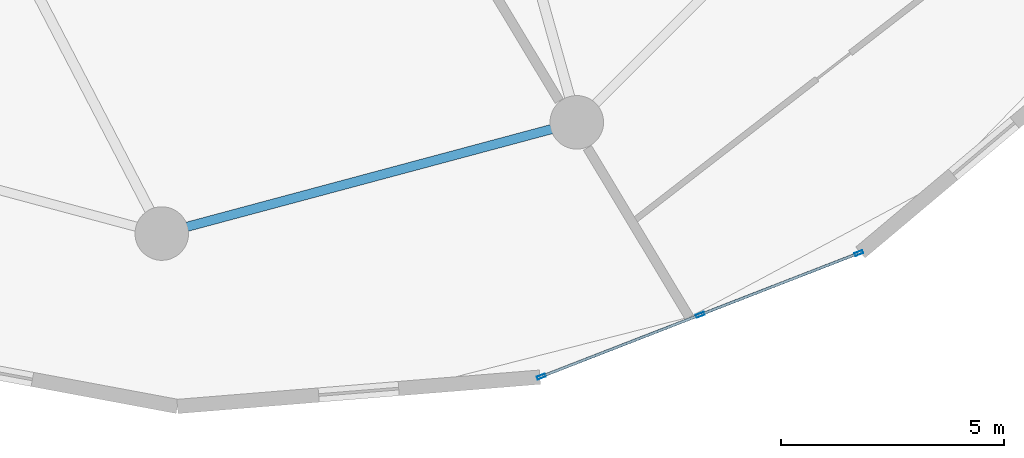
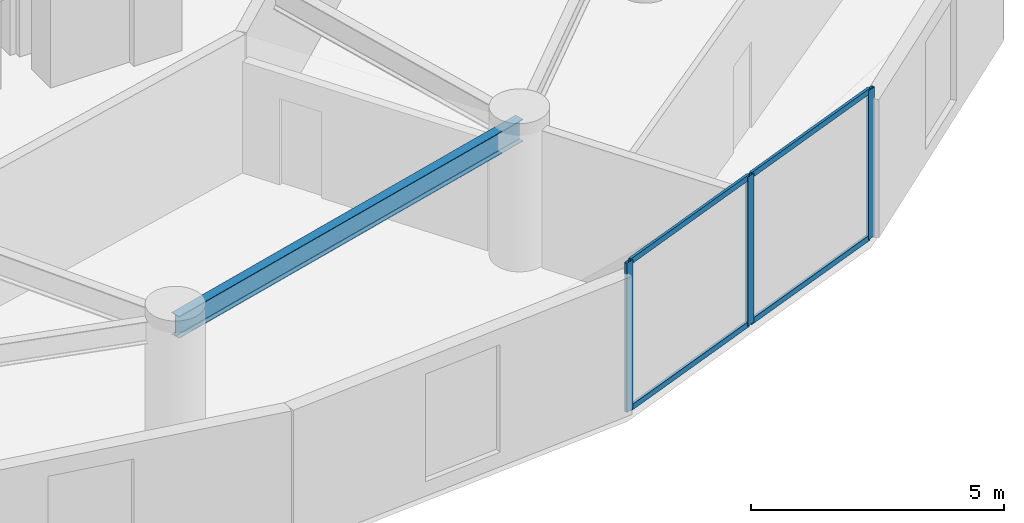
# One storey, part 10 of 26: 7 members, 1 beam, 1 element without a shape of its own.
"""IFC4 building model written with IfcOpenShell, lengths in metres."""

from ifc_helpers import new_model, si_unit, direction, frame, origin, origin_2d, place, context, subcontext, project, spatial, hollow_rectangle, i_section, extrude, source, transform, mapped, material, layer, layer_set, material_profile, profile_set, type_object, element, aggregate, save


model = new_model("IFC4")

# Units and contexts
model_context = context("Model", 3, precision=1e-05, world=origin(), true_north=direction((0.0, 1.0)))
body_context = subcontext(model_context, "Body", "Model", "MODEL_VIEW")
ifc_project = project(units=[si_unit("LENGTHUNIT", "METRE"), si_unit("AREAUNIT", "SQUARE_METRE"), si_unit("VOLUMEUNIT", "CUBIC_METRE"), si_unit("PLANEANGLEUNIT", "RADIAN"), si_unit("MASSUNIT", "GRAM", prefix="KILO")], contexts=[model_context])

# Site, building, storey
site_placement = place(None, origin())
site = spatial("IfcSite", under=ifc_project, at=site_placement, CompositionType="ELEMENT")
building_placement = place(site_placement, origin())
building = spatial("IfcBuilding", under=site, at=building_placement, Name="Solvirekh Grand Hotel", CompositionType="ELEMENT")
storey_placement = place(building_placement, frame((0.0, 0.0, 68.0)))
storey = spatial("IfcBuildingStorey", under=building, at=storey_placement, Name="L16", CompositionType="ELEMENT", Elevation=68.0)

# Beam
ifc_material_1 = material(Name="Steel S355", Category="steel")
ifc_material_profile_1 = material_profile(ifc_material_1, i_section(OverallWidth=0.208984375, OverallDepth=0.532958984375, WebThickness=0.010009765625, FlangeThickness=0.014892578125, FilletRadius=0.013916015625, at=origin_2d()), Name="W530X92")
ifc_profile_set_1 = profile_set([ifc_material_profile_1], Name="Steel S355")
beam_type = type_object("IfcBeamType", Name="Spandrel_Ring_W530", PredefinedType="SPANDREL", material=ifc_profile_set_1)
beam_placement = place(storey_placement, frame((0.0, -18.60009765625, 3.073974609375), z_axis=(0.965919414426, 0.258842973314, 0.0), x_axis=(-0.258842973314, 0.965919414426, 0.0)))
element("IfcBeam", 1, at=beam_placement, inside=storey, type_object=beam_type, Name="L16 perimeter spandrel beam 10", PredefinedType="SPANDREL", context=body_context, shape_type="SweptSolid", body=[
    extrude(i_section(OverallWidth=0.208984375, OverallDepth=0.532958984375, WebThickness=0.010009765625, FlangeThickness=0.014892578125, FilletRadius=0.013916015625, at=origin_2d()), origin(), (0.0, 0.0, 1.0), 9.628173828125),
])

# Curtain wall, members
ifc_material_2 = material(Name="Anodized Bronze Aluminium 6063-T6", Category="aluminium")
ifc_layer = layer(ifc_material_2, 0.18994140625)
ifc_layer_set = layer_set([ifc_layer], Name="Anodized Bronze Aluminium 6063-T6")
curtain_wall_type = type_object("IfcCurtainWallType", Name="CW_Sys2_LowZoneFlushBronzeCW", PredefinedType="NOTDEFINED", material=ifc_layer_set)
curtain_wall_placement = place(storey_placement, origin())
curtain_wall = element("IfcCurtainWall", 2, at=curtain_wall_placement, inside=storey, type_object=curtain_wall_type, Name="L16 unitised bronze-glass curtain wall CW-L16-C18", PredefinedType="NOTDEFINED")
ifc_material_profile_2 = material_profile(ifc_material_2, hollow_rectangle(XDim=0.070068359375, YDim=0.18994140625, WallThickness=0.0048828125, at=origin_2d()), Name="ALU RHS 190X70X5")
ifc_profile_set_2 = profile_set([ifc_material_profile_2], Name="Anodized Bronze Aluminium 6063-T6")
member_type_1 = type_object("IfcMemberType", Name="CWMullion_Sys2", PredefinedType="MULLION", material=ifc_profile_set_2)
shared_shape_1 = source(origin(), body_context, "Body", "SweptSolid", [
    extrude(hollow_rectangle(XDim=0.070068359375, YDim=0.18994140625, WallThickness=0.0048828125, at=origin_2d()), origin(), (0.0, 0.0, 1.0), 3.60009765625),
])
member_1_placement = place(storey_placement, frame((8.506591796875, -21.805419921875, 0.0), z_axis=(0.0, 0.0, 1.0), x_axis=(-0.362490102407, 0.931987620979, 0.0)))
member_1 = element("IfcMember", 3, at=member_1_placement, type_object=member_type_1, Name="U02 mullion 1", PredefinedType="MULLION", context=body_context, shape_type="MappedRepresentation", body=[
    mapped(shared_shape_1, transform((0.0, 0.0, 0.0), x_axis=(1.0, 0.0, 0.0), y_axis=(0.0, 1.0, 0.0), z_axis=(0.0, 0.0, 1.0), scale=1.0)),
])
member_2_placement = place(storey_placement, frame((12.064453125, -20.42138671875, 0.0), z_axis=(0.0, 0.0, 1.0), x_axis=(-0.362490102407, 0.931987620979, 0.0)))
member_2 = element("IfcMember", 4, at=member_2_placement, type_object=member_type_1, Name="U02 mullion 2", PredefinedType="MULLION", context=body_context, shape_type="MappedRepresentation", body=[
    mapped(shared_shape_1, transform((0.0, 0.0, 0.0), x_axis=(1.0, 0.0, 0.0), y_axis=(0.0, 1.0, 0.0), z_axis=(0.0, 0.0, 1.0), scale=1.0)),
])
member_3_placement = place(storey_placement, frame((15.622314453125, -19.03759765625, 0.0), z_axis=(0.0, 0.0, 1.0), x_axis=(-0.362490102407, 0.931987620979, 0.0)))
member_3 = element("IfcMember", 5, at=member_3_placement, type_object=member_type_1, Name="U02 mullion 3", PredefinedType="MULLION", context=body_context, shape_type="MappedRepresentation", body=[
    mapped(shared_shape_1, transform((0.0, 0.0, 0.0), x_axis=(1.0, 0.0, 0.0), y_axis=(0.0, 1.0, 0.0), z_axis=(0.0, 0.0, 1.0), scale=1.0)),
])
ifc_material_profile_3 = material_profile(ifc_material_2, hollow_rectangle(XDim=0.06005859375, YDim=0.135009765625, WallThickness=0.00390625, at=origin_2d()), Name="ALU RHS 135X60X4")
ifc_profile_set_3 = profile_set([ifc_material_profile_3], Name="Anodized Bronze Aluminium 6063-T6")
member_type_2 = type_object("IfcMemberType", Name="CWTransom_Sys2", PredefinedType="USERDEFINED", material=ifc_profile_set_3)
shared_shape_2 = source(origin(), body_context, "Body", "SweptSolid", [
    extrude(hollow_rectangle(XDim=0.06005859375, YDim=0.135009765625, WallThickness=0.00390625, at=origin_2d()), origin(), (0.0, 0.0, 1.0), 3.74755859375),
])
member_4_placement = place(storey_placement, frame((8.539306640625, -21.792724609375, 0.030029296875), z_axis=(0.931970435473, 0.362534284454, 0.0), x_axis=(-0.362534284454, 0.931970435473, 0.0)))
member_4 = element("IfcMember", 6, at=member_4_placement, type_object=member_type_2, Name="U02 transom 1.1", ObjectType="TRANSOM", PredefinedType="USERDEFINED", context=body_context, shape_type="MappedRepresentation", body=[
    mapped(shared_shape_2, transform((0.0, 0.0, 0.0), x_axis=(1.0, 0.0, 0.0), y_axis=(0.0, 1.0, 0.0), z_axis=(0.0, 0.0, 1.0), scale=1.0)),
])
member_5_placement = place(storey_placement, frame((8.539306640625, -21.792724609375, 3.570068359375), z_axis=(0.931970435473, 0.362534284454, 0.0), x_axis=(-0.362534284454, 0.931970435473, 0.0)))
member_5 = element("IfcMember", 7, at=member_5_placement, type_object=member_type_2, Name="U02 transom 1.2", ObjectType="TRANSOM", PredefinedType="USERDEFINED", context=body_context, shape_type="MappedRepresentation", body=[
    mapped(shared_shape_2, transform((0.0, 0.0, 0.0), x_axis=(1.0, 0.0, 0.0), y_axis=(0.0, 1.0, 0.0), z_axis=(0.0, 0.0, 1.0), scale=1.0)),
])
member_6_placement = place(storey_placement, frame((12.09716796875, -20.40869140625, 0.030029296875), z_axis=(0.93199244504, 0.362477699161, 0.0), x_axis=(-0.362477699161, 0.93199244504, 0.0)))
member_6 = element("IfcMember", 8, at=member_6_placement, type_object=member_type_2, Name="U02 transom 2.1", ObjectType="TRANSOM", PredefinedType="USERDEFINED", context=body_context, shape_type="MappedRepresentation", body=[
    mapped(shared_shape_2, transform((0.0, 0.0, 0.0), x_axis=(1.0, 0.0, 0.0), y_axis=(0.0, 1.0, 0.0), z_axis=(0.0, 0.0, 1.0), scale=1.0)),
])
member_7_placement = place(storey_placement, frame((12.09716796875, -20.40869140625, 3.570068359375), z_axis=(0.93199244504, 0.362477699161, 0.0), x_axis=(-0.362477699161, 0.93199244504, 0.0)))
member_7 = element("IfcMember", 9, at=member_7_placement, type_object=member_type_2, Name="U02 transom 2.2", ObjectType="TRANSOM", PredefinedType="USERDEFINED", context=body_context, shape_type="MappedRepresentation", body=[
    mapped(shared_shape_2, transform((0.0, 0.0, 0.0), x_axis=(1.0, 0.0, 0.0), y_axis=(0.0, 1.0, 0.0), z_axis=(0.0, 0.0, 1.0), scale=1.0)),
])
aggregate(curtain_wall, [member_1, member_2, member_3, member_4, member_5, member_6, member_7])

save(model, "model.ifc")
